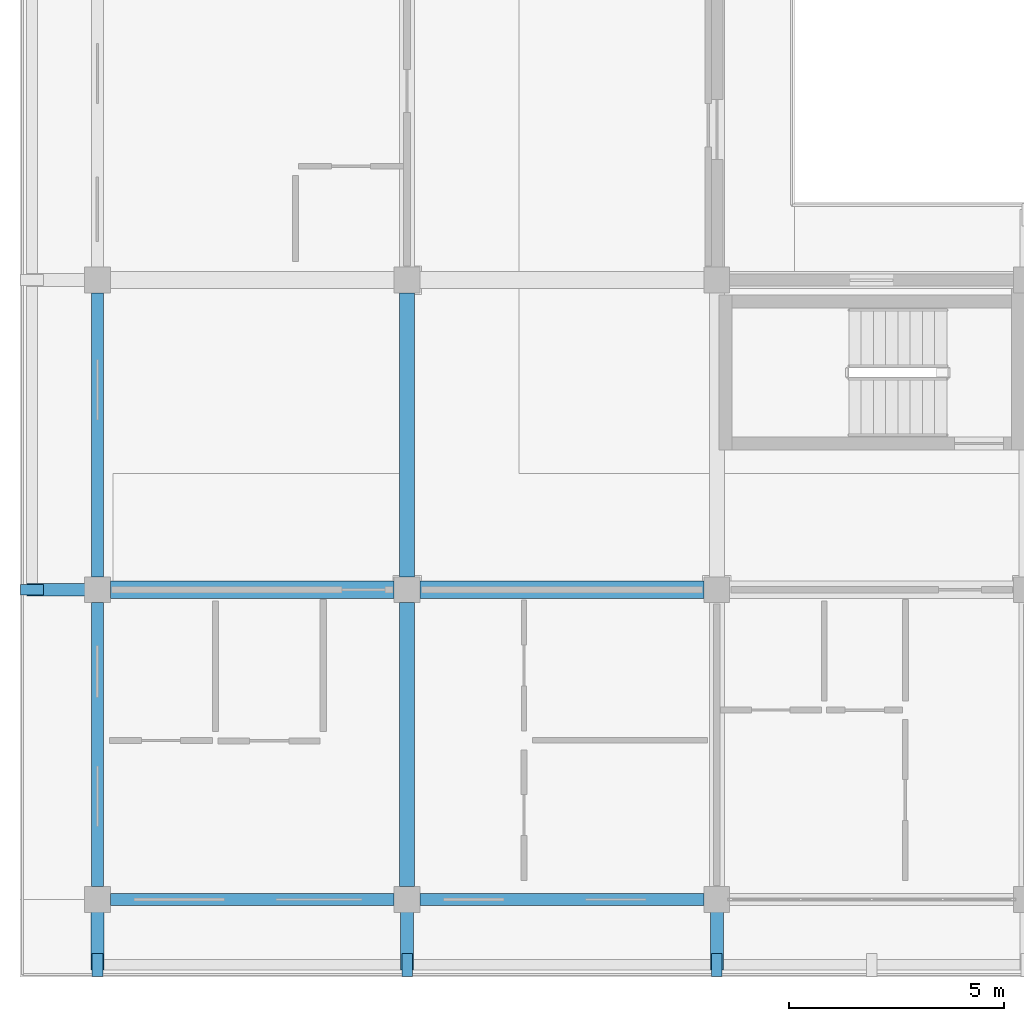
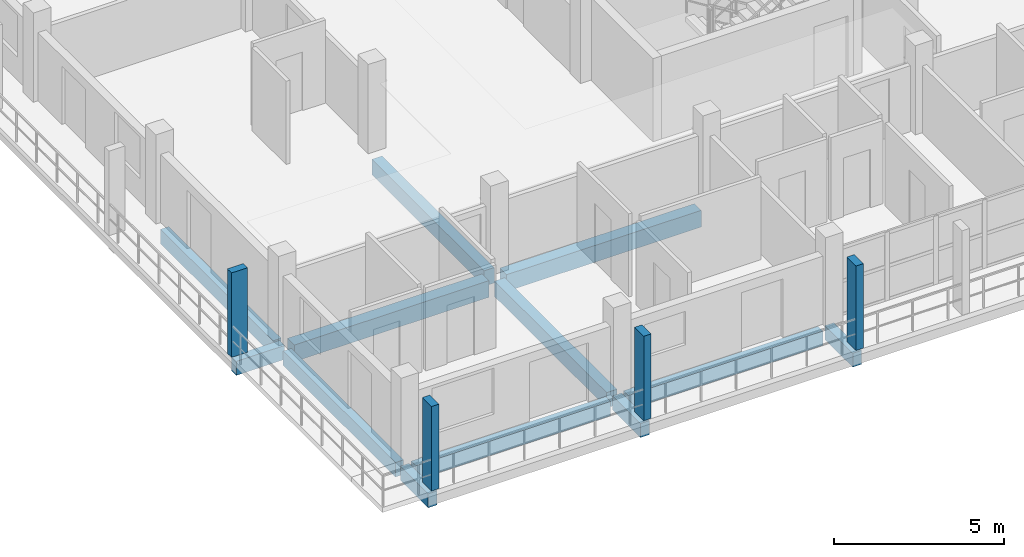
# One storey, part 3 of 76: 12 beams, 4 members.
"""IFC4 building model written with IfcOpenShell, lengths in metres."""

from ifc_helpers import new_model, si_unit, direction, frame, origin, origin_2d, place, context, subcontext, project, spatial, rectangle, extrude, material, material_profile, profile_set, type_object, element, save


model = new_model("IFC4")

# Units and contexts
model_context = context("Model", 3, precision=1e-05, world=origin(), true_north=direction((0.0, 1.0)))
body_context = subcontext(model_context, "Body", "Model", "MODEL_VIEW")
ifc_project = project(units=[si_unit("LENGTHUNIT", "METRE"), si_unit("AREAUNIT", "SQUARE_METRE"), si_unit("VOLUMEUNIT", "CUBIC_METRE"), si_unit("PLANEANGLEUNIT", "RADIAN"), si_unit("MASSUNIT", "GRAM", prefix="KILO")], contexts=[model_context])

# Site, building, storey
site_placement = place(None, origin())
site = spatial("IfcSite", under=ifc_project, at=site_placement, CompositionType="ELEMENT")
building_placement = place(site_placement, origin())
building = spatial("IfcBuilding", under=site, at=building_placement, Name="Suanplinth Sawtooth Commons", CompositionType="ELEMENT")
storey_placement = place(building_placement, frame((0.0, 0.0, 12.199951171875)))
storey = spatial("IfcBuildingStorey", under=building, at=storey_placement, Name="L03", CompositionType="ELEMENT", Elevation=12.199951171875)

# Beams
ifc_material_1 = material(Name="Precast concrete C40/50", Category="concrete")
ifc_material_profile_1 = material_profile(ifc_material_1, rectangle(XDim=0.39990234375, YDim=0.60009765625, at=origin_2d()), Name="PC-GDR 400x600")
ifc_profile_set_1 = profile_set([ifc_material_profile_1], Name="Precast concrete C40/50")
beam_type_1 = type_object("IfcBeamType", Name="B-05", PredefinedType="USERDEFINED", material=ifc_profile_set_1)
beam_1_placement = place(storey_placement, frame((0.300048828125, 7.199951171875, -0.5400390625), z_axis=(1.0, 0.0, 0.0), x_axis=(0.0, 1.0, 0.0)))
element("IfcBeam", 1, at=beam_1_placement, inside=storey, type_object=beam_type_1, Name="BMX-L03-D-0-1", ObjectType="GIRDER", PredefinedType="USERDEFINED", context=body_context, shape_type="SweptSolid", body=[
    extrude(rectangle(XDim=0.39990234375, YDim=0.60009765625, at=origin_2d()), origin(), (0.0, 0.0, 1.0), 6.599853515625),
])
beam_2_placement = place(storey_placement, frame((7.5, 7.199951171875, -0.5400390625), z_axis=(1.0, 0.0, 0.0), x_axis=(0.0, 1.0, 0.0)))
element("IfcBeam", 2, at=beam_2_placement, inside=storey, type_object=beam_type_1, Name="BMX-L03-D-1-1", ObjectType="GIRDER", PredefinedType="USERDEFINED", context=body_context, shape_type="SweptSolid", body=[
    extrude(rectangle(XDim=0.39990234375, YDim=0.60009765625, at=origin_2d()), origin(), (0.0, 0.0, 1.0), 6.60009765625),
])
ifc_material_profile_2 = material_profile(ifc_material_1, rectangle(XDim=0.35009765625, YDim=0.550048828125, at=origin_2d()), Name="PC-BM 350x550")
ifc_profile_set_2 = profile_set([ifc_material_profile_2], Name="Precast concrete C40/50")
beam_type_2 = type_object("IfcBeamType", Name="B-06", PredefinedType="BEAM", material=ifc_profile_set_2)
beam_3_placement = place(storey_placement, frame((7.199951171875, 0.300048828125, -0.514892578125), z_axis=(0.0, 1.0, 0.0), x_axis=(-1.0, 0.0, 0.0)))
element("IfcBeam", 3, at=beam_3_placement, inside=storey, type_object=beam_type_2, Name="BMY-L03-D-1-0", PredefinedType="BEAM", context=body_context, shape_type="SweptSolid", body=[
    extrude(rectangle(XDim=0.35009765625, YDim=0.550048828125, at=origin_2d()), origin(), (0.0, 0.0, 1.0), 6.599853515625),
])
beam_4_placement = place(storey_placement, frame((7.199951171875, 7.5, -0.514892578125), z_axis=(0.0, 1.0, 0.0), x_axis=(-1.0, 0.0, 0.0)))
element("IfcBeam", 4, at=beam_4_placement, inside=storey, type_object=beam_type_2, Name="BMY-L03-D-1-1", PredefinedType="BEAM", context=body_context, shape_type="SweptSolid", body=[
    extrude(rectangle(XDim=0.35009765625, YDim=0.550048828125, at=origin_2d()), origin(), (0.0, 0.0, 1.0), 6.60009765625),
])
ifc_material_profile_3 = material_profile(ifc_material_1, rectangle(XDim=0.300048828125, YDim=0.5, at=origin_2d()), Name="PC-BM 300x500")
ifc_profile_set_3 = profile_set([ifc_material_profile_3], Name="Precast concrete C40/50")
beam_type_3 = type_object("IfcBeamType", Name="B-07", PredefinedType="BEAM", material=ifc_profile_set_3)
for number, where, z_axis, x_axis, name in (
    (5, (0.0, 0.0, -0.429931640625), (0.0, -1.0, 0.0), (1.0, 0.0, 0.0), "Balcony Outrigger L03-D-S-0"),
    (6, (7.199951171875, 0.0, -0.429931640625), (0.0, -1.0, 0.0), (1.0, 0.0, 0.0), "Balcony Outrigger L03-D-S-1"),
    (7, (14.39990234375, 0.0, -0.429931640625), (0.0, -1.0, 0.0), (1.0, 0.0, 0.0), "Balcony Outrigger L03-D-S-2"),
    (8, (0.0, 7.199951171875, -0.429931640625), (-1.0, 0.0, 0.0), (0.0, -1.0, 0.0), "Balcony Outrigger L03-D-W-1"),
):
    element("IfcBeam", number, at=place(storey_placement, frame(where, z_axis=z_axis, x_axis=x_axis)), inside=storey, type_object=beam_type_3, Name=name, PredefinedType="BEAM", context=body_context, shape_type="SweptSolid", body=[
        extrude(rectangle(XDim=0.300048828125, YDim=0.5, at=origin_2d()), origin(), (0.0, 0.0, 1.0), 1.639892578125),
    ])
ifc_material_profile_4 = material_profile(ifc_material_1, rectangle(XDim=0.280029296875, YDim=0.52001953125, at=origin_2d()), Name="PC-SP 280x520")
ifc_profile_set_4 = profile_set([ifc_material_profile_4], Name="Precast concrete C40/50")
beam_type_4 = type_object("IfcBeamType", Name="B-08", PredefinedType="SPANDREL", material=ifc_profile_set_4)
beam_5_placement = place(storey_placement, frame((0.300048828125, 0.0, -0.5), z_axis=(1.0, 0.0, 0.0), x_axis=(0.0, 1.0, 0.0)))
element("IfcBeam", 9, at=beam_5_placement, inside=storey, type_object=beam_type_4, Name="BMX-L03-D-0-0", PredefinedType="SPANDREL", context=body_context, shape_type="SweptSolid", body=[
    extrude(rectangle(XDim=0.280029296875, YDim=0.52001953125, at=origin_2d()), origin(), (0.0, 0.0, 1.0), 6.599853515625),
])
beam_6_placement = place(storey_placement, frame((7.5, 0.0, -0.5), z_axis=(1.0, 0.0, 0.0), x_axis=(0.0, 1.0, 0.0)))
element("IfcBeam", 10, at=beam_6_placement, inside=storey, type_object=beam_type_4, Name="BMX-L03-D-1-0", PredefinedType="SPANDREL", context=body_context, shape_type="SweptSolid", body=[
    extrude(rectangle(XDim=0.280029296875, YDim=0.52001953125, at=origin_2d()), origin(), (0.0, 0.0, 1.0), 6.60009765625),
])
beam_7_placement = place(storey_placement, frame((0.0, 0.300048828125, -0.5), z_axis=(0.0, 1.0, 0.0), x_axis=(-1.0, 0.0, 0.0)))
element("IfcBeam", 11, at=beam_7_placement, inside=storey, type_object=beam_type_4, Name="BMY-L03-D-0-0", PredefinedType="SPANDREL", context=body_context, shape_type="SweptSolid", body=[
    extrude(rectangle(XDim=0.280029296875, YDim=0.52001953125, at=origin_2d()), origin(), (0.0, 0.0, 1.0), 6.599853515625),
])
beam_8_placement = place(storey_placement, frame((0.0, 7.5, -0.5), z_axis=(0.0, 1.0, 0.0), x_axis=(-1.0, 0.0, 0.0)))
element("IfcBeam", 12, at=beam_8_placement, inside=storey, type_object=beam_type_4, Name="BMY-L03-D-0-1", PredefinedType="SPANDREL", context=body_context, shape_type="SweptSolid", body=[
    extrude(rectangle(XDim=0.280029296875, YDim=0.52001953125, at=origin_2d()), origin(), (0.0, 0.0, 1.0), 6.60009765625),
])

# Members
ifc_material_2 = material(Name="Pigmented precast concrete C40/50", Category="concrete")
ifc_material_profile_5 = material_profile(ifc_material_2, rectangle(XDim=0.25, YDim=0.5400390625, at=origin_2d()), Name="PC-FIN 250x540")
ifc_profile_set_5 = profile_set([ifc_material_profile_5], Name="Pigmented precast concrete C40/50")
member_type = type_object("IfcMemberType", Name="M-11", PredefinedType="USERDEFINED", material=ifc_profile_set_5)
for number, where, z_axis, x_axis, name in (
    (13, (0.0, -1.52001953125, 0.0), (0.0, 0.0, 1.0), (1.0, 0.0, 0.0), "Upright Solar Blade L03-D-S-01"),
    (14, (7.199951171875, -1.52001953125, 0.0), (0.0, 0.0, 1.0), (1.0, 0.0, 0.0), "Upright Solar Blade L03-D-S-02"),
    (15, (14.39990234375, -1.52001953125, 0.0), (0.0, 0.0, 1.0), (1.0, 0.0, 0.0), "Upright Solar Blade L03-D-S-03"),
    (16, (-1.52001953125, 7.199951171875, 0.0), (0.0, 0.0, 1.0), (0.0, 1.0, 0.0), "Upright Solar Blade L03-D-W-09"),
):
    element("IfcMember", number, at=place(storey_placement, frame(where, z_axis=z_axis, x_axis=x_axis)), inside=storey, type_object=member_type, Name=name, ObjectType="SHADING FIN", PredefinedType="USERDEFINED", context=body_context, shape_type="SweptSolid", body=[
        extrude(rectangle(XDim=0.25, YDim=0.5400390625, at=origin_2d()), origin(), (0.0, 0.0, 1.0), 3.030029296875),
    ])

save(model, "model.ifc")
